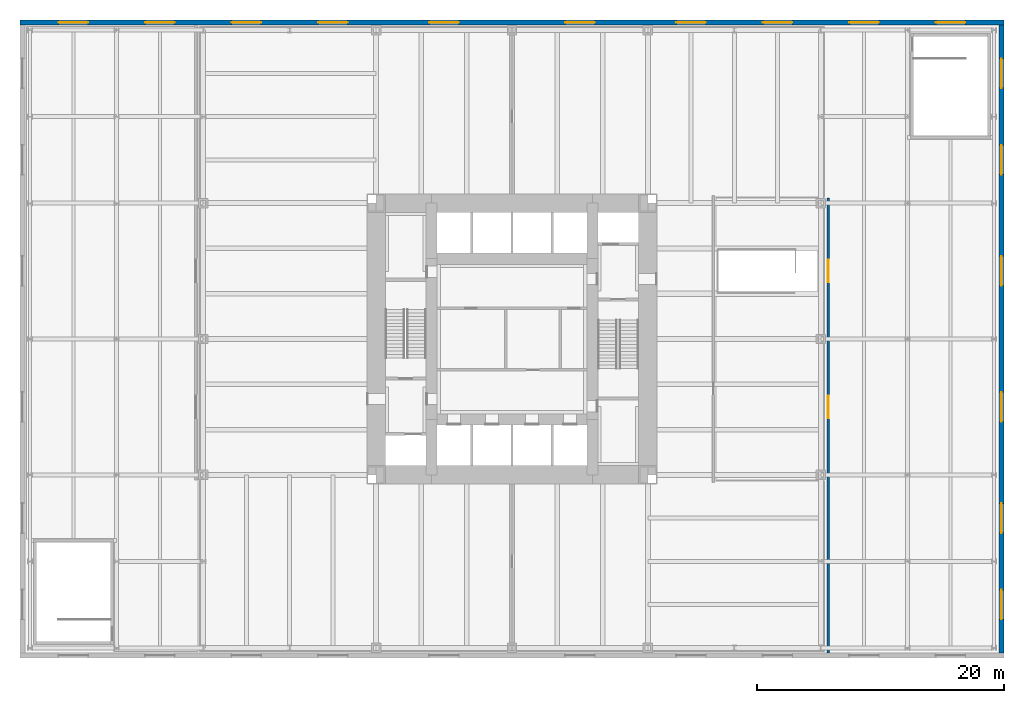
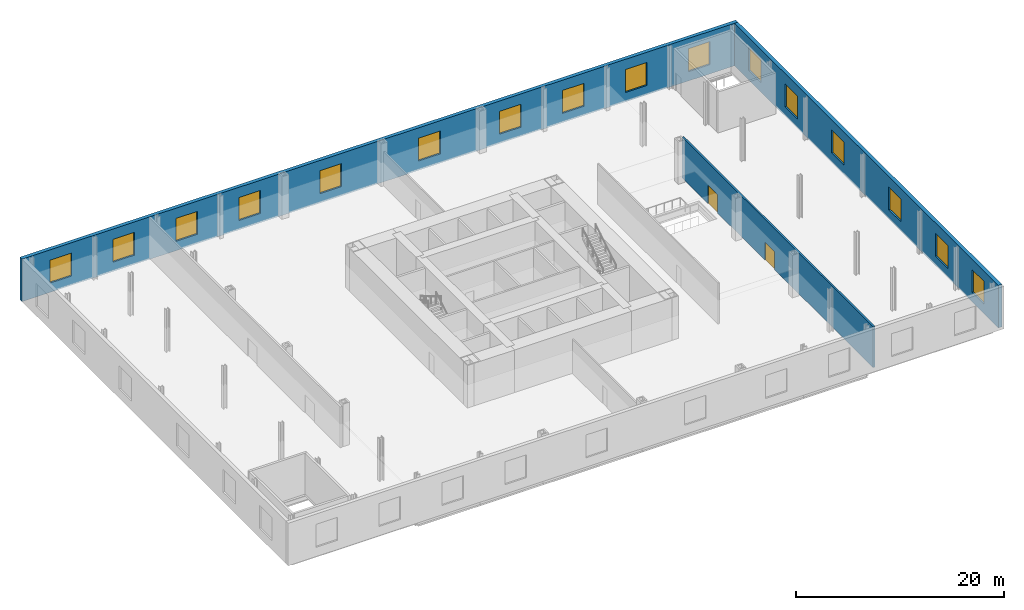
# One storey, part 10 of 12: 16 windows, 3 walls, 2 doors, 18 openings.
"""IFC4 building model written with IfcOpenShell, lengths in metres."""

from ifc_helpers import new_model, si_unit, direction, frame, frame_2d, origin, place, context, subcontext, project, spatial, rectangle, extrude, material, layer, layer_set, type_object, element, fill, save


model = new_model("IFC4")

# Units and contexts
model_context = context("Model", 3, precision=1e-05, world=origin(), true_north=direction((0.0, 1.0)))
body_context = subcontext(model_context, "Body", "Model", "MODEL_VIEW")
ifc_project = project(units=[si_unit("LENGTHUNIT", "METRE"), si_unit("AREAUNIT", "SQUARE_METRE"), si_unit("VOLUMEUNIT", "CUBIC_METRE"), si_unit("PLANEANGLEUNIT", "RADIAN"), si_unit("MASSUNIT", "GRAM", prefix="KILO")], contexts=[model_context])

# Site, building, storey
site_placement = place(None, origin())
site = spatial("IfcSite", under=ifc_project, at=site_placement, CompositionType="ELEMENT")
building_placement = place(site_placement, origin())
building = spatial("IfcBuilding", under=site, at=building_placement, Name="Trevanion Tower", CompositionType="ELEMENT")
storey_placement = place(building_placement, frame((0.0, 0.0, 11.0)))
storey = spatial("IfcBuildingStorey", under=building, at=storey_placement, Name="L02", CompositionType="ELEMENT", Elevation=11.0)

# Wall, openings, windows
ifc_material_1 = material(Name="Granite cladding on concrete masonry", Category="masonry")
ifc_layer_1 = layer(ifc_material_1, 0.39990234375)
ifc_layer_set_1 = layer_set([ifc_layer_1], Name="EW1 granite-faced wall 400")
wall_type_1 = type_object("IfcWallType", Name="EW1 granite-faced wall 400", PredefinedType="SOLIDWALL", material=ifc_layer_set_1)
wall_1_placement = place(storey_placement, frame((39.6201171875, -25.419921875, -0.18994140625), z_axis=(0.0, 0.0, 1.0), x_axis=(0.0, 1.0, 0.0)))
wall_1 = element("IfcWall", 1, at=wall_1_placement, inside=storey, type_object=wall_type_1, Name="EW1 E L02", PredefinedType="SOLIDWALL", context=body_context, shape_type="SweptSolid", body=[
    extrude(rectangle(XDim=50.83984375, YDim=0.39990234375, at=frame_2d((25.419921875, 0.0))), origin(), (0.0, 0.0, 1.0), 5.0),
])
opening_1_placement = place(wall_1_placement, frame((2.719970703125, 0.0, 1.090087890625)))
opening_1 = element("IfcOpeningElement", 2, at=opening_1_placement, cuts=wall_1, Name="Opening WN2", PredefinedType="OPENING", context=body_context, shape_type="SweptSolid", body=[
    extrude(rectangle(XDim=2.39990234375, YDim=2.699951171875, at=frame_2d((1.199951171875, 1.35009765625))), frame((0.0, 0.2099609375, 0.0), z_axis=(0.0, -1.0, 0.0), x_axis=(1.0, 0.0, 0.0)), (0.0, 0.0, 1.0), 0.419921875),
])
opening_2_placement = place(wall_1_placement, frame((9.719970703125, 0.0, 1.090087890625)))
opening_2 = element("IfcOpeningElement", 3, at=opening_2_placement, cuts=wall_1, Name="Opening WN2", PredefinedType="OPENING", context=body_context, shape_type="SweptSolid", body=[
    extrude(rectangle(XDim=2.39990234375, YDim=2.699951171875, at=frame_2d((1.199951171875, 1.35009765625))), frame((0.0, 0.2099609375, 0.0), z_axis=(0.0, -1.0, 0.0), x_axis=(1.0, 0.0, 0.0)), (0.0, 0.0, 1.0), 0.419921875),
])
opening_3_placement = place(wall_1_placement, frame((18.719970703125, 0.0, 1.090087890625)))
opening_3 = element("IfcOpeningElement", 4, at=opening_3_placement, cuts=wall_1, Name="Opening WN2", PredefinedType="OPENING", context=body_context, shape_type="SweptSolid", body=[
    extrude(rectangle(XDim=2.39990234375, YDim=2.699951171875, at=frame_2d((1.199951171875, 1.35009765625))), frame((0.0, 0.2099609375, 0.0), z_axis=(0.0, -1.0, 0.0), x_axis=(1.0, 0.0, 0.0)), (0.0, 0.0, 1.0), 0.419921875),
])
opening_4_placement = place(wall_1_placement, frame((29.719970703125, 0.0, 1.090087890625)))
opening_4 = element("IfcOpeningElement", 5, at=opening_4_placement, cuts=wall_1, Name="Opening WN2", PredefinedType="OPENING", context=body_context, shape_type="SweptSolid", body=[
    extrude(rectangle(XDim=2.39990234375, YDim=2.699951171875, at=frame_2d((1.199951171875, 1.35009765625))), frame((0.0, 0.2099609375, 0.0), z_axis=(0.0, -1.0, 0.0), x_axis=(1.0, 0.0, 0.0)), (0.0, 0.0, 1.0), 0.419921875),
])
opening_5_placement = place(wall_1_placement, frame((38.719970703125, 0.0, 1.090087890625)))
opening_5 = element("IfcOpeningElement", 6, at=opening_5_placement, cuts=wall_1, Name="Opening WN2", PredefinedType="OPENING", context=body_context, shape_type="SweptSolid", body=[
    extrude(rectangle(XDim=2.39990234375, YDim=2.699951171875, at=frame_2d((1.199951171875, 1.35009765625))), frame((0.0, 0.2099609375, 0.0), z_axis=(0.0, -1.0, 0.0), x_axis=(1.0, 0.0, 0.0)), (0.0, 0.0, 1.0), 0.419921875),
])
opening_6_placement = place(wall_1_placement, frame((45.719970703125, 0.0, 1.090087890625)))
opening_6 = element("IfcOpeningElement", 7, at=opening_6_placement, cuts=wall_1, Name="Opening WN2", PredefinedType="OPENING", context=body_context, shape_type="SweptSolid", body=[
    extrude(rectangle(XDim=2.39990234375, YDim=2.699951171875, at=frame_2d((1.199951171875, 1.35009765625))), frame((0.0, 0.2099609375, 0.0), z_axis=(0.0, -1.0, 0.0), x_axis=(1.0, 0.0, 0.0)), (0.0, 0.0, 1.0), 0.419921875),
])
ifc_material_2 = material(Name="Bronze-finish aluminium frame, insulating glass", Category="aluminium")
window_type = type_object("IfcWindowType", Name="WN2 window 2400x2700", PartitioningType="SINGLE_PANEL", PredefinedType="WINDOW", material=ifc_material_2)
window_1_placement = place(opening_1_placement, origin())
window_1 = element("IfcWindow", 8, at=window_1_placement, inside=storey, type_object=window_type, Name="WN2 E L02", OverallHeight=2.699951171875, OverallWidth=2.39990234375, PartitioningType="SINGLE_PANEL", PredefinedType="WINDOW", context=body_context, shape_type="SweptSolid", body=[
    extrude(rectangle(XDim=2.39990234375, YDim=2.699951171875, at=frame_2d((1.199951171875, 1.35009765625))), frame((0.0, 0.030029296875, 0.0), z_axis=(0.0, -1.0, 0.0), x_axis=(1.0, 0.0, 0.0)), (0.0, 0.0, 1.0), 0.06005859375),
])
fill(opening_1, window_1)
window_2_placement = place(opening_2_placement, origin())
window_2 = element("IfcWindow", 9, at=window_2_placement, inside=storey, type_object=window_type, Name="WN2 E L02", OverallHeight=2.699951171875, OverallWidth=2.39990234375, PartitioningType="SINGLE_PANEL", PredefinedType="WINDOW", context=body_context, shape_type="SweptSolid", body=[
    extrude(rectangle(XDim=2.39990234375, YDim=2.699951171875, at=frame_2d((1.199951171875, 1.35009765625))), frame((0.0, 0.030029296875, 0.0), z_axis=(0.0, -1.0, 0.0), x_axis=(1.0, 0.0, 0.0)), (0.0, 0.0, 1.0), 0.06005859375),
])
fill(opening_2, window_2)
window_3_placement = place(opening_3_placement, origin())
window_3 = element("IfcWindow", 10, at=window_3_placement, inside=storey, type_object=window_type, Name="WN2 E L02", OverallHeight=2.699951171875, OverallWidth=2.39990234375, PartitioningType="SINGLE_PANEL", PredefinedType="WINDOW", context=body_context, shape_type="SweptSolid", body=[
    extrude(rectangle(XDim=2.39990234375, YDim=2.699951171875, at=frame_2d((1.199951171875, 1.35009765625))), frame((0.0, 0.030029296875, 0.0), z_axis=(0.0, -1.0, 0.0), x_axis=(1.0, 0.0, 0.0)), (0.0, 0.0, 1.0), 0.06005859375),
])
fill(opening_3, window_3)
window_4_placement = place(opening_4_placement, origin())
window_4 = element("IfcWindow", 11, at=window_4_placement, inside=storey, type_object=window_type, Name="WN2 E L02", OverallHeight=2.699951171875, OverallWidth=2.39990234375, PartitioningType="SINGLE_PANEL", PredefinedType="WINDOW", context=body_context, shape_type="SweptSolid", body=[
    extrude(rectangle(XDim=2.39990234375, YDim=2.699951171875, at=frame_2d((1.199951171875, 1.35009765625))), frame((0.0, 0.030029296875, 0.0), z_axis=(0.0, -1.0, 0.0), x_axis=(1.0, 0.0, 0.0)), (0.0, 0.0, 1.0), 0.06005859375),
])
fill(opening_4, window_4)
window_5_placement = place(opening_5_placement, origin())
window_5 = element("IfcWindow", 12, at=window_5_placement, inside=storey, type_object=window_type, Name="WN2 E L02", OverallHeight=2.699951171875, OverallWidth=2.39990234375, PartitioningType="SINGLE_PANEL", PredefinedType="WINDOW", context=body_context, shape_type="SweptSolid", body=[
    extrude(rectangle(XDim=2.39990234375, YDim=2.699951171875, at=frame_2d((1.199951171875, 1.35009765625))), frame((0.0, 0.030029296875, 0.0), z_axis=(0.0, -1.0, 0.0), x_axis=(1.0, 0.0, 0.0)), (0.0, 0.0, 1.0), 0.06005859375),
])
fill(opening_5, window_5)
window_6_placement = place(opening_6_placement, origin())
window_6 = element("IfcWindow", 13, at=window_6_placement, inside=storey, type_object=window_type, Name="WN2 E L02", OverallHeight=2.699951171875, OverallWidth=2.39990234375, PartitioningType="SINGLE_PANEL", PredefinedType="WINDOW", context=body_context, shape_type="SweptSolid", body=[
    extrude(rectangle(XDim=2.39990234375, YDim=2.699951171875, at=frame_2d((1.199951171875, 1.35009765625))), frame((0.0, 0.030029296875, 0.0), z_axis=(0.0, -1.0, 0.0), x_axis=(1.0, 0.0, 0.0)), (0.0, 0.0, 1.0), 0.06005859375),
])
fill(opening_6, window_6)

wall_2_placement = place(storey_placement, frame((39.820068359375, 25.6201171875, -0.18994140625), z_axis=(0.0, 0.0, 1.0), x_axis=(-1.0, 0.0, 0.0)))
wall_2 = element("IfcWall", 14, at=wall_2_placement, inside=storey, type_object=wall_type_1, Name="EW1 N L02", PredefinedType="SOLIDWALL", context=body_context, shape_type="SweptSolid", body=[
    extrude(rectangle(XDim=79.64013671875, YDim=0.39990234375, at=frame_2d((39.820068359375, 0.0))), origin(), (0.0, 0.0, 1.0), 5.0),
])
opening_7_placement = place(wall_2_placement, frame((74.1201171875, 0.0, 1.090087890625)))
opening_7 = element("IfcOpeningElement", 15, at=opening_7_placement, cuts=wall_2, Name="Opening WN2", PredefinedType="OPENING", context=body_context, shape_type="SweptSolid", body=[
    extrude(rectangle(XDim=2.39990234375, YDim=2.699951171875, at=frame_2d((1.199951171875, 1.35009765625))), frame((0.0, 0.2099609375, 0.0), z_axis=(0.0, -1.0, 0.0), x_axis=(1.0, 0.0, 0.0)), (0.0, 0.0, 1.0), 0.419921875),
])
opening_8_placement = place(wall_2_placement, frame((67.1201171875, 0.0, 1.090087890625)))
opening_8 = element("IfcOpeningElement", 16, at=opening_8_placement, cuts=wall_2, Name="Opening WN2", PredefinedType="OPENING", context=body_context, shape_type="SweptSolid", body=[
    extrude(rectangle(XDim=2.39990234375, YDim=2.699951171875, at=frame_2d((1.199951171875, 1.35009765625))), frame((0.0, 0.2099609375, 0.0), z_axis=(0.0, -1.0, 0.0), x_axis=(1.0, 0.0, 0.0)), (0.0, 0.0, 1.0), 0.419921875),
])
opening_9_placement = place(wall_2_placement, frame((60.1201171875, 0.0, 1.090087890625)))
opening_9 = element("IfcOpeningElement", 17, at=opening_9_placement, cuts=wall_2, Name="Opening WN2", PredefinedType="OPENING", context=body_context, shape_type="SweptSolid", body=[
    extrude(rectangle(XDim=2.39990234375, YDim=2.699951171875, at=frame_2d((1.199951171875, 1.35009765625))), frame((0.0, 0.2099609375, 0.0), z_axis=(0.0, -1.0, 0.0), x_axis=(1.0, 0.0, 0.0)), (0.0, 0.0, 1.0), 0.419921875),
])
opening_10_placement = place(wall_2_placement, frame((53.1201171875, 0.0, 1.090087890625)))
opening_10 = element("IfcOpeningElement", 18, at=opening_10_placement, cuts=wall_2, Name="Opening WN2", PredefinedType="OPENING", context=body_context, shape_type="SweptSolid", body=[
    extrude(rectangle(XDim=2.39990234375, YDim=2.699951171875, at=frame_2d((1.199951171875, 1.35009765625))), frame((0.0, 0.2099609375, 0.0), z_axis=(0.0, -1.0, 0.0), x_axis=(1.0, 0.0, 0.0)), (0.0, 0.0, 1.0), 0.419921875),
])
opening_11_placement = place(wall_2_placement, frame((44.1201171875, 0.0, 1.090087890625)))
opening_11 = element("IfcOpeningElement", 19, at=opening_11_placement, cuts=wall_2, Name="Opening WN2", PredefinedType="OPENING", context=body_context, shape_type="SweptSolid", body=[
    extrude(rectangle(XDim=2.39990234375, YDim=2.699951171875, at=frame_2d((1.199951171875, 1.35009765625))), frame((0.0, 0.2099609375, 0.0), z_axis=(0.0, -1.0, 0.0), x_axis=(1.0, 0.0, 0.0)), (0.0, 0.0, 1.0), 0.419921875),
])
opening_12_placement = place(wall_2_placement, frame((33.1201171875, 0.0, 1.090087890625)))
opening_12 = element("IfcOpeningElement", 20, at=opening_12_placement, cuts=wall_2, Name="Opening WN2", PredefinedType="OPENING", context=body_context, shape_type="SweptSolid", body=[
    extrude(rectangle(XDim=2.39990234375, YDim=2.699951171875, at=frame_2d((1.199951171875, 1.35009765625))), frame((0.0, 0.2099609375, 0.0), z_axis=(0.0, -1.0, 0.0), x_axis=(1.0, 0.0, 0.0)), (0.0, 0.0, 1.0), 0.419921875),
])
opening_13_placement = place(wall_2_placement, frame((24.1201171875, 0.0, 1.090087890625)))
opening_13 = element("IfcOpeningElement", 21, at=opening_13_placement, cuts=wall_2, Name="Opening WN2", PredefinedType="OPENING", context=body_context, shape_type="SweptSolid", body=[
    extrude(rectangle(XDim=2.39990234375, YDim=2.699951171875, at=frame_2d((1.199951171875, 1.35009765625))), frame((0.0, 0.2099609375, 0.0), z_axis=(0.0, -1.0, 0.0), x_axis=(1.0, 0.0, 0.0)), (0.0, 0.0, 1.0), 0.419921875),
])
opening_14_placement = place(wall_2_placement, frame((17.1201171875, 0.0, 1.090087890625)))
opening_14 = element("IfcOpeningElement", 22, at=opening_14_placement, cuts=wall_2, Name="Opening WN2", PredefinedType="OPENING", context=body_context, shape_type="SweptSolid", body=[
    extrude(rectangle(XDim=2.39990234375, YDim=2.699951171875, at=frame_2d((1.199951171875, 1.35009765625))), frame((0.0, 0.2099609375, 0.0), z_axis=(0.0, -1.0, 0.0), x_axis=(1.0, 0.0, 0.0)), (0.0, 0.0, 1.0), 0.419921875),
])
opening_15_placement = place(wall_2_placement, frame((10.1201171875, 0.0, 1.090087890625)))
opening_15 = element("IfcOpeningElement", 23, at=opening_15_placement, cuts=wall_2, Name="Opening WN2", PredefinedType="OPENING", context=body_context, shape_type="SweptSolid", body=[
    extrude(rectangle(XDim=2.39990234375, YDim=2.699951171875, at=frame_2d((1.199951171875, 1.35009765625))), frame((0.0, 0.2099609375, 0.0), z_axis=(0.0, -1.0, 0.0), x_axis=(1.0, 0.0, 0.0)), (0.0, 0.0, 1.0), 0.419921875),
])
opening_16_placement = place(wall_2_placement, frame((3.1201171875, 0.0, 1.090087890625)))
opening_16 = element("IfcOpeningElement", 24, at=opening_16_placement, cuts=wall_2, Name="Opening WN2", PredefinedType="OPENING", context=body_context, shape_type="SweptSolid", body=[
    extrude(rectangle(XDim=2.39990234375, YDim=2.699951171875, at=frame_2d((1.199951171875, 1.35009765625))), frame((0.0, 0.2099609375, 0.0), z_axis=(0.0, -1.0, 0.0), x_axis=(1.0, 0.0, 0.0)), (0.0, 0.0, 1.0), 0.419921875),
])
window_7_placement = place(opening_7_placement, origin())
window_7 = element("IfcWindow", 25, at=window_7_placement, inside=storey, type_object=window_type, Name="WN2 N L02", OverallHeight=2.699951171875, OverallWidth=2.39990234375, PartitioningType="SINGLE_PANEL", PredefinedType="WINDOW", context=body_context, shape_type="SweptSolid", body=[
    extrude(rectangle(XDim=2.39990234375, YDim=2.699951171875, at=frame_2d((1.199951171875, 1.35009765625))), frame((0.0, 0.030029296875, 0.0), z_axis=(0.0, -1.0, 0.0), x_axis=(1.0, 0.0, 0.0)), (0.0, 0.0, 1.0), 0.06005859375),
])
fill(opening_7, window_7)
window_8_placement = place(opening_8_placement, origin())
window_8 = element("IfcWindow", 26, at=window_8_placement, inside=storey, type_object=window_type, Name="WN2 N L02", OverallHeight=2.699951171875, OverallWidth=2.39990234375, PartitioningType="SINGLE_PANEL", PredefinedType="WINDOW", context=body_context, shape_type="SweptSolid", body=[
    extrude(rectangle(XDim=2.39990234375, YDim=2.699951171875, at=frame_2d((1.199951171875, 1.35009765625))), frame((0.0, 0.030029296875, 0.0), z_axis=(0.0, -1.0, 0.0), x_axis=(1.0, 0.0, 0.0)), (0.0, 0.0, 1.0), 0.06005859375),
])
fill(opening_8, window_8)
window_9_placement = place(opening_9_placement, origin())
window_9 = element("IfcWindow", 27, at=window_9_placement, inside=storey, type_object=window_type, Name="WN2 N L02", OverallHeight=2.699951171875, OverallWidth=2.39990234375, PartitioningType="SINGLE_PANEL", PredefinedType="WINDOW", context=body_context, shape_type="SweptSolid", body=[
    extrude(rectangle(XDim=2.39990234375, YDim=2.699951171875, at=frame_2d((1.199951171875, 1.35009765625))), frame((0.0, 0.030029296875, 0.0), z_axis=(0.0, -1.0, 0.0), x_axis=(1.0, 0.0, 0.0)), (0.0, 0.0, 1.0), 0.06005859375),
])
fill(opening_9, window_9)
window_10_placement = place(opening_10_placement, origin())
window_10 = element("IfcWindow", 28, at=window_10_placement, inside=storey, type_object=window_type, Name="WN2 N L02", OverallHeight=2.699951171875, OverallWidth=2.39990234375, PartitioningType="SINGLE_PANEL", PredefinedType="WINDOW", context=body_context, shape_type="SweptSolid", body=[
    extrude(rectangle(XDim=2.39990234375, YDim=2.699951171875, at=frame_2d((1.199951171875, 1.35009765625))), frame((0.0, 0.030029296875, 0.0), z_axis=(0.0, -1.0, 0.0), x_axis=(1.0, 0.0, 0.0)), (0.0, 0.0, 1.0), 0.06005859375),
])
fill(opening_10, window_10)
window_11_placement = place(opening_11_placement, origin())
window_11 = element("IfcWindow", 29, at=window_11_placement, inside=storey, type_object=window_type, Name="WN2 N L02", OverallHeight=2.699951171875, OverallWidth=2.39990234375, PartitioningType="SINGLE_PANEL", PredefinedType="WINDOW", context=body_context, shape_type="SweptSolid", body=[
    extrude(rectangle(XDim=2.39990234375, YDim=2.699951171875, at=frame_2d((1.199951171875, 1.35009765625))), frame((0.0, 0.030029296875, 0.0), z_axis=(0.0, -1.0, 0.0), x_axis=(1.0, 0.0, 0.0)), (0.0, 0.0, 1.0), 0.06005859375),
])
fill(opening_11, window_11)
window_12_placement = place(opening_12_placement, origin())
window_12 = element("IfcWindow", 30, at=window_12_placement, inside=storey, type_object=window_type, Name="WN2 N L02", OverallHeight=2.699951171875, OverallWidth=2.39990234375, PartitioningType="SINGLE_PANEL", PredefinedType="WINDOW", context=body_context, shape_type="SweptSolid", body=[
    extrude(rectangle(XDim=2.39990234375, YDim=2.699951171875, at=frame_2d((1.199951171875, 1.35009765625))), frame((0.0, 0.030029296875, 0.0), z_axis=(0.0, -1.0, 0.0), x_axis=(1.0, 0.0, 0.0)), (0.0, 0.0, 1.0), 0.06005859375),
])
fill(opening_12, window_12)
window_13_placement = place(opening_13_placement, origin())
window_13 = element("IfcWindow", 31, at=window_13_placement, inside=storey, type_object=window_type, Name="WN2 N L02", OverallHeight=2.699951171875, OverallWidth=2.39990234375, PartitioningType="SINGLE_PANEL", PredefinedType="WINDOW", context=body_context, shape_type="SweptSolid", body=[
    extrude(rectangle(XDim=2.39990234375, YDim=2.699951171875, at=frame_2d((1.199951171875, 1.35009765625))), frame((0.0, 0.030029296875, 0.0), z_axis=(0.0, -1.0, 0.0), x_axis=(1.0, 0.0, 0.0)), (0.0, 0.0, 1.0), 0.06005859375),
])
fill(opening_13, window_13)
window_14_placement = place(opening_14_placement, origin())
window_14 = element("IfcWindow", 32, at=window_14_placement, inside=storey, type_object=window_type, Name="WN2 N L02", OverallHeight=2.699951171875, OverallWidth=2.39990234375, PartitioningType="SINGLE_PANEL", PredefinedType="WINDOW", context=body_context, shape_type="SweptSolid", body=[
    extrude(rectangle(XDim=2.39990234375, YDim=2.699951171875, at=frame_2d((1.199951171875, 1.35009765625))), frame((0.0, 0.030029296875, 0.0), z_axis=(0.0, -1.0, 0.0), x_axis=(1.0, 0.0, 0.0)), (0.0, 0.0, 1.0), 0.06005859375),
])
fill(opening_14, window_14)
window_15_placement = place(opening_15_placement, origin())
window_15 = element("IfcWindow", 33, at=window_15_placement, inside=storey, type_object=window_type, Name="WN2 N L02", OverallHeight=2.699951171875, OverallWidth=2.39990234375, PartitioningType="SINGLE_PANEL", PredefinedType="WINDOW", context=body_context, shape_type="SweptSolid", body=[
    extrude(rectangle(XDim=2.39990234375, YDim=2.699951171875, at=frame_2d((1.199951171875, 1.35009765625))), frame((0.0, 0.030029296875, 0.0), z_axis=(0.0, -1.0, 0.0), x_axis=(1.0, 0.0, 0.0)), (0.0, 0.0, 1.0), 0.06005859375),
])
fill(opening_15, window_15)
window_16_placement = place(opening_16_placement, origin())
window_16 = element("IfcWindow", 34, at=window_16_placement, inside=storey, type_object=window_type, Name="WN2 N L02", OverallHeight=2.699951171875, OverallWidth=2.39990234375, PartitioningType="SINGLE_PANEL", PredefinedType="WINDOW", context=body_context, shape_type="SweptSolid", body=[
    extrude(rectangle(XDim=2.39990234375, YDim=2.699951171875, at=frame_2d((1.199951171875, 1.35009765625))), frame((0.0, 0.030029296875, 0.0), z_axis=(0.0, -1.0, 0.0), x_axis=(1.0, 0.0, 0.0)), (0.0, 0.0, 1.0), 0.06005859375),
])
fill(opening_16, window_16)

# Wall, openings, doors
ifc_material_3 = material(Name="Concrete masonry, grouted", Category="masonry")
ifc_layer_2 = layer(ifc_material_3, 0.199951171875)
ifc_layer_set_2 = layer_set([ifc_layer_2], Name="PT2 partition 200 1 HR")
wall_type_2 = type_object("IfcWallType", Name="PT2 partition 200 1 HR", PredefinedType="PARTITIONING", material=ifc_layer_set_2)
wall_3_placement = place(storey_placement, frame((25.60009765625, -25.409912109375, 0.0), z_axis=(0.0, 0.0, 1.0), x_axis=(0.0, 1.0, 0.0)))
wall_3 = element("IfcWall", 35, at=wall_3_placement, inside=storey, type_object=wall_type_2, Name="PT2 L02 WE1", PredefinedType="PARTITIONING", context=body_context, shape_type="SweptSolid", body=[
    extrude(rectangle(XDim=36.809814453125, YDim=0.199951171875, at=frame_2d((18.40478515625, 0.0))), origin(), (0.0, 0.0, 1.0), 4.81005859375),
])
opening_17_placement = place(wall_3_placement, frame((29.9951171875, 0.0, 0.0)))
opening_17 = element("IfcOpeningElement", 36, at=opening_17_placement, cuts=wall_3, Name="Opening 02-020", PredefinedType="OPENING", context=body_context, shape_type="SweptSolid", body=[
    extrude(rectangle(XDim=1.830078125, YDim=2.134033203125, at=frame_2d((0.9150390625, 1.06689453125))), frame((0.0, 0.10986328125, 0.0), z_axis=(0.0, -1.0, 0.0), x_axis=(1.0, 0.0, 0.0)), (0.0, 0.0, 1.0), 0.219970703125),
])
opening_18_placement = place(wall_3_placement, frame((18.9951171875, 0.0, 0.0)))
opening_18 = element("IfcOpeningElement", 37, at=opening_18_placement, cuts=wall_3, Name="Opening 02-021", PredefinedType="OPENING", context=body_context, shape_type="SweptSolid", body=[
    extrude(rectangle(XDim=1.830078125, YDim=2.134033203125, at=frame_2d((0.9150390625, 1.06689453125))), frame((0.0, 0.10986328125, 0.0), z_axis=(0.0, -1.0, 0.0), x_axis=(1.0, 0.0, 0.0)), (0.0, 0.0, 1.0), 0.219970703125),
])
ifc_material_4 = material(Name="Timber veneer, fire rated", Category="wood")
door_type = type_object("IfcDoorType", Name="D8 wing double door", OperationType="DOUBLE_DOOR_DOUBLE_SWING", PredefinedType="DOOR", material=ifc_material_4)
door_1_placement = place(opening_17_placement, origin())
door_1 = element("IfcDoor", 38, at=door_1_placement, inside=storey, type_object=door_type, Name="Door 02-020", OperationType="DOUBLE_DOOR_DOUBLE_SWING", OverallHeight=2.134033203125, OverallWidth=1.830078125, PredefinedType="DOOR", context=body_context, shape_type="SweptSolid", body=[
    extrude(rectangle(XDim=1.830078125, YDim=2.134033203125, at=frame_2d((0.9150390625, 1.06689453125))), frame((0.0, 0.02490234375, 0.0), z_axis=(0.0, -1.0, 0.0), x_axis=(1.0, 0.0, 0.0)), (0.0, 0.0, 1.0), 0.050048828125),
])
fill(opening_17, door_1)
door_2_placement = place(opening_18_placement, origin())
door_2 = element("IfcDoor", 39, at=door_2_placement, inside=storey, type_object=door_type, Name="Door 02-021", OperationType="DOUBLE_DOOR_DOUBLE_SWING", OverallHeight=2.134033203125, OverallWidth=1.830078125, PredefinedType="DOOR", context=body_context, shape_type="SweptSolid", body=[
    extrude(rectangle(XDim=1.830078125, YDim=2.134033203125, at=frame_2d((0.9150390625, 1.06689453125))), frame((0.0, 0.02490234375, 0.0), z_axis=(0.0, -1.0, 0.0), x_axis=(1.0, 0.0, 0.0)), (0.0, 0.0, 1.0), 0.050048828125),
])
fill(opening_18, door_2)

save(model, "model.ifc")
